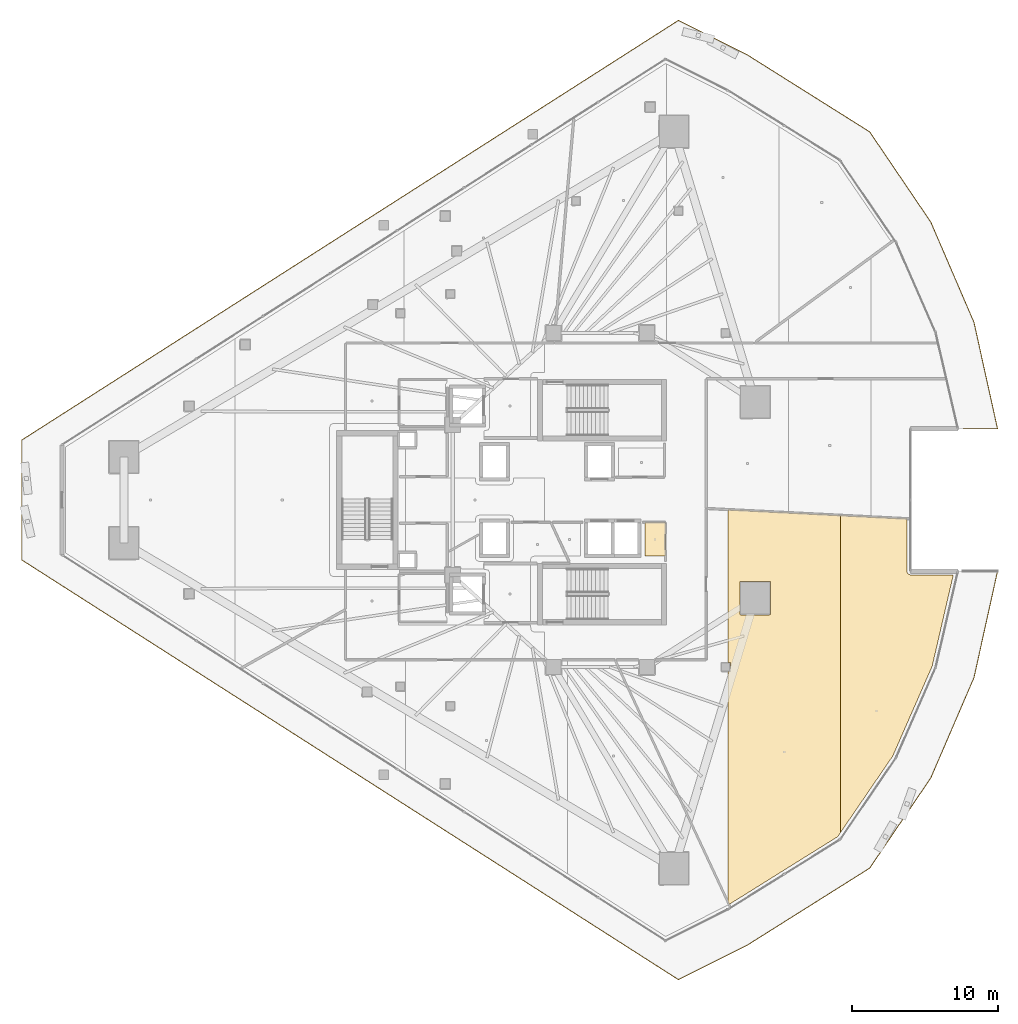
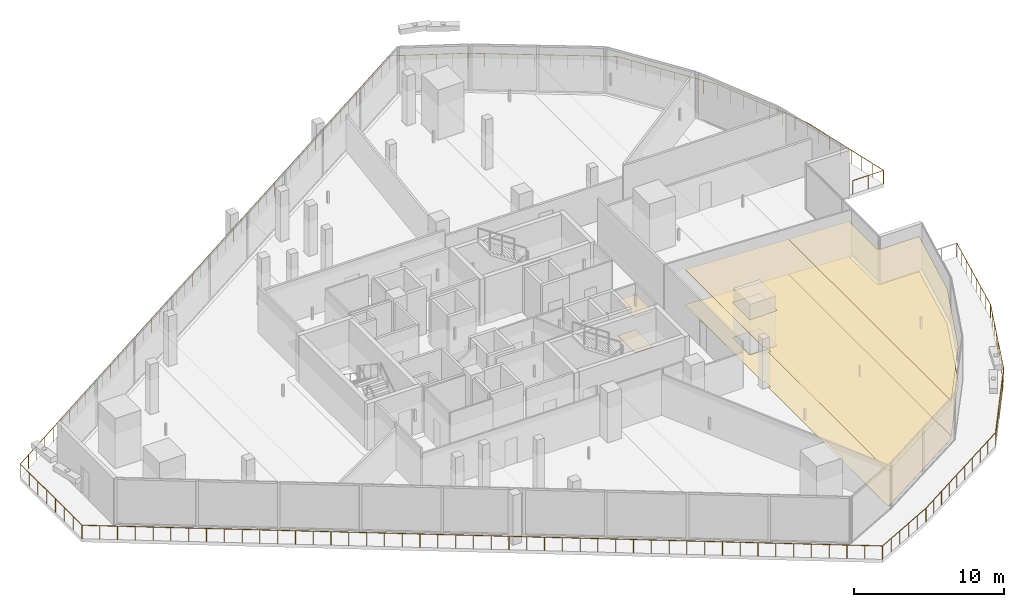
# One storey, part 35 of 38: 6 coverings, 1 railing.
"""IFC4 building model written with IfcOpenShell, lengths in metres."""

from ifc_helpers import new_model, si_unit, direction, frame, origin, origin_2d, place, context, subcontext, project, spatial, polyline, circle, outline, extrude, material, layer, layer_set, type_object, element, save


model = new_model("IFC4")

# Units and contexts
model_context = context("Model", 3, precision=1e-05, world=origin(), true_north=direction((0.0, 1.0)))
body_context = subcontext(model_context, "Body", "Model", "MODEL_VIEW")
ifc_project = project(units=[si_unit("LENGTHUNIT", "METRE"), si_unit("AREAUNIT", "SQUARE_METRE"), si_unit("VOLUMEUNIT", "CUBIC_METRE"), si_unit("PLANEANGLEUNIT", "RADIAN"), si_unit("MASSUNIT", "GRAM", prefix="KILO")], contexts=[model_context])

# Site, building, storey
site_placement = place(None, origin())
site = spatial("IfcSite", under=ifc_project, at=site_placement, CompositionType="ELEMENT")
building_placement = place(site_placement, origin())
building = spatial("IfcBuilding", under=site, at=building_placement, Name="Qorvath Tower", CompositionType="ELEMENT")
storey_placement = place(building_placement, frame((0.0, 0.0, 134.10009765625)))
storey = spatial("IfcBuildingStorey", under=building, at=storey_placement, Name="L30", CompositionType="ELEMENT", Elevation=134.10009765625)

# Coverings
ifc_material_1 = material(Name="Acoustic mineral fibre ceiling tile", Category="gypsum")
ifc_layer_1 = layer(ifc_material_1, 0.030029296875)
ifc_layer_set_1 = layer_set([ifc_layer_1], Name="COV-CEIL")
covering_type_1 = type_object("IfcCoveringType", Name="COV-CEIL", PredefinedType="CEILING", material=ifc_layer_set_1)
covering_1_placement = place(storey_placement, frame((0.0, 0.0, 2.849853515625)))
element("IfcCovering", 1, at=covering_1_placement, inside=storey, type_object=covering_type_1, Name="L30 Suspended Acoustic Ceiling 019", PredefinedType="CEILING", context=body_context, shape_type="SweptSolid", body=[
    extrude(outline(polyline([(-11.6494140625, -0.65966796875), (-11.6494140625, -11.132568359375), (-11.482666015625, -11.132568359375), (-11.482666015625, -11.767333984375), (-11.6494140625, -11.7724609375), (-11.6494140625, -27.522216796875), (-11.5595703125, -27.714599609375), (-4.127685546875, -23.076171875), (-3.92626953125, -22.78125), (-3.92626953125, -1.05322265625), (-11.6494140625, -0.65966796875)]), holes=[polyline([(-10.830322265625, -7.8212890625), (-10.812744140625, -5.578857421875), (-8.727783203125, -5.578857421875), (-8.727783203125, -7.86376953125), (-10.770263671875, -7.88134765625), (-10.830322265625, -7.8212890625)])]), origin(), (0.0, 0.0, 1.0), 0.030029296875),
])
covering_2_placement = place(storey_placement, frame((0.0, 0.0, 2.849853515625)))
element("IfcCovering", 2, at=covering_2_placement, inside=storey, type_object=covering_type_1, Name="L30 Suspended Acoustic Ceiling 020", PredefinedType="CEILING", context=body_context, shape_type="SweptSolid", body=[
    extrude(outline(polyline([(-3.92626953125, -1.05322265625), (-3.92626953125, -22.78125), (-0.35205078125, -17.551025390625), (2.3486328125, -11.395751953125), (3.796875, -5.13671875), (0.86328125, -5.13671875), (0.665283203125, -5.0419921875), (0.6083984375, -4.881591796875), (0.6083984375, -1.2841796875), (-3.92626953125, -1.05322265625)])), origin(), (0.0, 0.0, 1.0), 0.030029296875),
])
covering_3_placement = place(storey_placement, frame((0.0, 0.0, 2.849853515625)))
element("IfcCovering", 3, at=covering_3_placement, inside=storey, type_object=covering_type_1, Name="L30 Suspended Acoustic Ceiling 022", PredefinedType="CEILING", context=body_context, shape_type="SweptSolid", body=[
    extrude(outline(polyline([(-17.340087890625, -1.532958984375), (-17.340087890625, -3.85009765625), (-15.93310546875, -3.85009765625), (-15.93310546875, -1.532958984375), (-17.340087890625, -1.532958984375)])), origin(), (0.0, 0.0, 1.0), 0.030029296875),
])
ifc_material_2 = material(Name="Low-VOC modular carpet tile", Category="textile")
ifc_layer_2 = layer(ifc_material_2, 0.014892578125)
ifc_layer_set_2 = layer_set([ifc_layer_2], Name="COV-FLOOR-CPT")
covering_type_2 = type_object("IfcCoveringType", Name="COV-FLOOR-CPT", PredefinedType="FLOORING", material=ifc_layer_set_2)
covering_4_placement = place(storey_placement, origin())
element("IfcCovering", 4, at=covering_4_placement, inside=storey, type_object=covering_type_2, Name="L30 Floor Finish 019", PredefinedType="FLOORING", context=body_context, shape_type="SweptSolid", body=[
    extrude(outline(polyline([(-11.6494140625, -0.65966796875), (-11.6494140625, -11.132568359375), (-11.482666015625, -11.132568359375), (-11.482666015625, -11.767333984375), (-11.6494140625, -11.7724609375), (-11.6494140625, -27.522216796875), (-11.5595703125, -27.714599609375), (-4.127685546875, -23.076171875), (-3.92626953125, -22.78125), (-3.92626953125, -1.05322265625), (-11.6494140625, -0.65966796875)]), holes=[polyline([(-10.830322265625, -7.8212890625), (-10.812744140625, -5.578857421875), (-8.727783203125, -5.578857421875), (-8.727783203125, -7.86376953125), (-10.770263671875, -7.88134765625), (-10.830322265625, -7.8212890625)])]), origin(), (0.0, 0.0, 1.0), 0.014892578125),
])
covering_5_placement = place(storey_placement, origin())
element("IfcCovering", 5, at=covering_5_placement, inside=storey, type_object=covering_type_2, Name="L30 Floor Finish 020", PredefinedType="FLOORING", context=body_context, shape_type="SweptSolid", body=[
    extrude(outline(polyline([(-3.92626953125, -1.05322265625), (-3.92626953125, -22.78125), (-0.35205078125, -17.551025390625), (2.3486328125, -11.395751953125), (3.796875, -5.13671875), (0.86328125, -5.13671875), (0.665283203125, -5.0419921875), (0.6083984375, -4.881591796875), (0.6083984375, -1.2841796875), (-3.92626953125, -1.05322265625)])), origin(), (0.0, 0.0, 1.0), 0.014892578125),
])
covering_6_placement = place(storey_placement, origin())
element("IfcCovering", 6, at=covering_6_placement, inside=storey, type_object=covering_type_2, Name="L30 Floor Finish 022", PredefinedType="FLOORING", context=body_context, shape_type="SweptSolid", body=[
    extrude(outline(polyline([(-17.340087890625, -1.532958984375), (-17.340087890625, -3.85009765625), (-15.93310546875, -3.85009765625), (-15.93310546875, -1.532958984375), (-17.340087890625, -1.532958984375)])), origin(), (0.0, 0.0, 1.0), 0.014892578125),
])

# Railing
ifc_material_3 = material(Name="Laminated safety glass and stainless steel AISI 316", Category="steel")
railing_type = type_object("IfcRailingType", Name="RL-EXT-GRD", PredefinedType="GUARDRAIL", material=ifc_material_3)
railing_placement = place(storey_placement, frame((6.833984375, -4.881591796875, 0.0)))
element("IfcRailing", 7, at=railing_placement, inside=storey, type_object=railing_type, Name="Loggia Perimeter Guardrail L30-1.1", PredefinedType="GUARDRAIL", context=body_context, shape_type="SweptSolid", body=[
    extrude(circle(Radius=0.02392578125, at=origin_2d()), frame((0.0, 0.0, 1.09619140625), z_axis=(-0.216103917882, -0.976370368598, 0.0), x_axis=(0.976370368598, -0.216103917882, 0.0)), (0.0, 0.0, 1.0), 7.4755859375),
    extrude(circle(Radius=0.02392578125, at=origin_2d()), frame((-1.615478515625, -7.298828125, 1.09619140625), z_axis=(-0.395483606656, -0.91847303546, 0.0), x_axis=(0.91847303546, -0.395483606656, 0.0)), (0.0, 0.0, 1.0), 7.47509765625),
    extrude(circle(Radius=0.02392578125, at=origin_2d()), frame((-4.57177734375, -14.16455078125, 1.09619140625), z_axis=(-0.560835146382, -0.82792749597, 0.0), x_axis=(0.82792749597, -0.560835146382, 0.0)), (0.0, 0.0, 1.0), 7.475341796875),
    extrude(circle(Radius=0.02392578125, at=origin_2d()), frame((-8.76416015625, -20.353515625, 1.09619140625), z_axis=(-0.8464853898, -0.53241195033, 0.0), x_axis=(0.53241195033, -0.8464853898, 0.0)), (0.0, 0.0, 1.0), 9.940673828125),
    extrude(circle(Radius=0.02392578125, at=origin_2d()), frame((-17.1787109375, -25.64599609375, 1.09619140625), z_axis=(-0.894445787706, -0.447176400154, 0.0), x_axis=(0.447176400154, -0.894445787706, 0.0)), (0.0, 0.0, 1.0), 5.2509765625),
    extrude(circle(Radius=0.02392578125, at=origin_2d()), frame((-21.87548828125, -27.994140625, 1.09619140625), z_axis=(-0.842605755812, 0.538530909301, 0.0), x_axis=(-0.538530909301, -0.842605755812, 0.0)), (0.0, 0.0, 1.0), 53.416015625),
    extrude(circle(Radius=0.02392578125, at=origin_2d()), frame((-66.884033203125, 0.77197265625, 1.09619140625), z_axis=(0.0, 1.0, 0.0), x_axis=(-1.0, 0.0, 0.0)), (0.0, 0.0, 1.0), 8.21923828125),
    extrude(circle(Radius=0.02392578125, at=origin_2d()), frame((-66.884033203125, 8.9912109375, 1.09619140625), z_axis=(0.842605755812, 0.538530909301, 0.0), x_axis=(-0.538530909301, 0.842605755812, 0.0)), (0.0, 0.0, 1.0), 53.416015625),
    extrude(circle(Radius=0.02392578125, at=origin_2d()), frame((-21.87548828125, 37.75732421875, 1.09619140625), z_axis=(0.894445787706, -0.447176400154, 0.0), x_axis=(0.447176400154, 0.894445787706, 0.0)), (0.0, 0.0, 1.0), 5.2509765625),
    extrude(circle(Radius=0.02392578125, at=origin_2d()), frame((-17.1787109375, 35.4091796875, 1.09619140625), z_axis=(0.8464853898, -0.53241195033, 0.0), x_axis=(0.53241195033, 0.8464853898, 0.0)), (0.0, 0.0, 1.0), 9.940673828125),
    extrude(circle(Radius=0.02392578125, at=origin_2d()), frame((-8.76416015625, 30.11669921875, 1.09619140625), z_axis=(0.560835146382, -0.82792749597, 0.0), x_axis=(0.82792749597, 0.560835146382, 0.0)), (0.0, 0.0, 1.0), 7.475341796875),
    extrude(circle(Radius=0.02392578125, at=origin_2d()), frame((-4.57177734375, 23.927734375, 1.09619140625), z_axis=(0.395483606656, -0.91847303546, 0.0), x_axis=(0.91847303546, 0.395483606656, 0.0)), (0.0, 0.0, 1.0), 7.47509765625),
    extrude(circle(Radius=0.02392578125, at=origin_2d()), frame((-1.615478515625, 17.06201171875, 1.09619140625), z_axis=(0.216103917882, -0.976370368598, 0.0), x_axis=(0.976370368598, 0.216103917882, 0.0)), (0.0, 0.0, 1.0), 7.4755859375),
    extrude(circle(Radius=0.02392578125, at=origin_2d()), frame((0.0, 9.76318359375, 1.09619140625), z_axis=(-1.0, 0.0, 0.0), x_axis=(0.0, -1.0, 0.0)), (0.0, 0.0, 1.0), 2.36669921875),
    extrude(circle(Radius=0.02099609375, at=origin_2d()), origin(), (0.0, 0.0, 1.0), 1.072021484375),
    extrude(circle(Radius=0.02099609375, at=origin_2d()), frame((-0.230712890625, -1.042724609375, 0.0)), (0.0, 0.0, 1.0), 1.072021484375),
    extrude(circle(Radius=0.02099609375, at=origin_2d()), frame((-0.461669921875, -2.08544921875, 0.0)), (0.0, 0.0, 1.0), 1.072021484375),
    extrude(circle(Radius=0.02099609375, at=origin_2d()), frame((-0.6923828125, -3.128173828125, 0.0)), (0.0, 0.0, 1.0), 1.072021484375),
    extrude(circle(Radius=0.02099609375, at=origin_2d()), frame((-0.923095703125, -4.170654296875, 0.0)), (0.0, 0.0, 1.0), 1.072021484375),
    extrude(circle(Radius=0.02099609375, at=origin_2d()), frame((-1.15380859375, -5.21337890625, 0.0)), (0.0, 0.0, 1.0), 1.072021484375),
    extrude(circle(Radius=0.02099609375, at=origin_2d()), frame((-1.384765625, -6.256103515625, 0.0)), (0.0, 0.0, 1.0), 1.072021484375),
    extrude(circle(Radius=0.02099609375, at=origin_2d()), frame((-1.615478515625, -7.298828125, 0.0)), (0.0, 0.0, 1.0), 1.072021484375),
    extrude(circle(Radius=0.02099609375, at=origin_2d()), frame((-2.037841796875, -8.279541015625, 0.0)), (0.0, 0.0, 1.0), 1.072021484375),
    extrude(circle(Radius=0.02099609375, at=origin_2d()), frame((-2.460205078125, -9.260498046875, 0.0)), (0.0, 0.0, 1.0), 1.072021484375),
    extrude(circle(Radius=0.02099609375, at=origin_2d()), frame((-2.882568359375, -10.2412109375, 0.0)), (0.0, 0.0, 1.0), 1.072021484375),
    extrude(circle(Radius=0.02099609375, at=origin_2d()), frame((-3.3046875, -11.22216796875, 0.0)), (0.0, 0.0, 1.0), 1.072021484375),
    extrude(circle(Radius=0.02099609375, at=origin_2d()), frame((-3.72705078125, -12.202880859375, 0.0)), (0.0, 0.0, 1.0), 1.072021484375),
    extrude(circle(Radius=0.02099609375, at=origin_2d()), frame((-4.1494140625, -13.183837890625, 0.0)), (0.0, 0.0, 1.0), 1.072021484375),
    extrude(circle(Radius=0.02099609375, at=origin_2d()), frame((-4.57177734375, -14.16455078125, 0.0)), (0.0, 0.0, 1.0), 1.072021484375),
    extrude(circle(Radius=0.02099609375, at=origin_2d()), frame((-5.170654296875, -15.048583984375, 0.0)), (0.0, 0.0, 1.0), 1.072021484375),
    extrude(circle(Radius=0.02099609375, at=origin_2d()), frame((-5.76953125, -15.932861328125, 0.0)), (0.0, 0.0, 1.0), 1.072021484375),
    extrude(circle(Radius=0.02099609375, at=origin_2d()), frame((-6.368408203125, -16.81689453125, 0.0)), (0.0, 0.0, 1.0), 1.072021484375),
    extrude(circle(Radius=0.02099609375, at=origin_2d()), frame((-6.967529296875, -17.701171875, 0.0)), (0.0, 0.0, 1.0), 1.072021484375),
    extrude(circle(Radius=0.02099609375, at=origin_2d()), frame((-7.56640625, -18.585205078125, 0.0)), (0.0, 0.0, 1.0), 1.072021484375),
    extrude(circle(Radius=0.02099609375, at=origin_2d()), frame((-8.165283203125, -19.469482421875, 0.0)), (0.0, 0.0, 1.0), 1.072021484375),
    extrude(circle(Radius=0.02099609375, at=origin_2d()), frame((-8.76416015625, -20.353515625, 0.0)), (0.0, 0.0, 1.0), 1.072021484375),
    extrude(circle(Radius=0.02099609375, at=origin_2d()), frame((-9.69921875, -20.941650390625, 0.0)), (0.0, 0.0, 1.0), 1.072021484375),
    extrude(circle(Radius=0.02099609375, at=origin_2d()), frame((-10.634033203125, -21.529541015625, 0.0)), (0.0, 0.0, 1.0), 1.072021484375),
    extrude(circle(Radius=0.02099609375, at=origin_2d()), frame((-11.569091796875, -22.11767578125, 0.0)), (0.0, 0.0, 1.0), 1.072021484375),
    extrude(circle(Radius=0.02099609375, at=origin_2d()), frame((-12.50390625, -22.705810546875, 0.0)), (0.0, 0.0, 1.0), 1.072021484375),
    extrude(circle(Radius=0.02099609375, at=origin_2d()), frame((-13.43896484375, -23.293701171875, 0.0)), (0.0, 0.0, 1.0), 1.072021484375),
    extrude(circle(Radius=0.02099609375, at=origin_2d()), frame((-14.373779296875, -23.8818359375, 0.0)), (0.0, 0.0, 1.0), 1.072021484375),
    extrude(circle(Radius=0.02099609375, at=origin_2d()), frame((-15.308837890625, -24.469970703125, 0.0)), (0.0, 0.0, 1.0), 1.072021484375),
    extrude(circle(Radius=0.02099609375, at=origin_2d()), frame((-16.24365234375, -25.057861328125, 0.0)), (0.0, 0.0, 1.0), 1.072021484375),
    extrude(circle(Radius=0.02099609375, at=origin_2d()), frame((-17.1787109375, -25.64599609375, 0.0)), (0.0, 0.0, 1.0), 1.072021484375),
    extrude(circle(Radius=0.02099609375, at=origin_2d()), frame((-18.1181640625, -26.11572265625, 0.0)), (0.0, 0.0, 1.0), 1.072021484375),
    extrude(circle(Radius=0.02099609375, at=origin_2d()), frame((-19.057373046875, -26.585205078125, 0.0)), (0.0, 0.0, 1.0), 1.072021484375),
    extrude(circle(Radius=0.02099609375, at=origin_2d()), frame((-19.996826171875, -27.054931640625, 0.0)), (0.0, 0.0, 1.0), 1.072021484375),
    extrude(circle(Radius=0.02099609375, at=origin_2d()), frame((-20.93603515625, -27.5244140625, 0.0)), (0.0, 0.0, 1.0), 1.072021484375),
    extrude(circle(Radius=0.02099609375, at=origin_2d()), frame((-21.87548828125, -27.994140625, 0.0)), (0.0, 0.0, 1.0), 1.072021484375),
    extrude(circle(Radius=0.02099609375, at=origin_2d()), frame((-22.875732421875, -27.35498046875, 0.0)), (0.0, 0.0, 1.0), 1.072021484375),
    extrude(circle(Radius=0.02099609375, at=origin_2d()), frame((-23.8759765625, -26.715576171875, 0.0)), (0.0, 0.0, 1.0), 1.072021484375),
    extrude(circle(Radius=0.02099609375, at=origin_2d()), frame((-24.8759765625, -26.076416015625, 0.0)), (0.0, 0.0, 1.0), 1.072021484375),
    extrude(circle(Radius=0.02099609375, at=origin_2d()), frame((-25.876220703125, -25.437255859375, 0.0)), (0.0, 0.0, 1.0), 1.072021484375),
    extrude(circle(Radius=0.02099609375, at=origin_2d()), frame((-26.87646484375, -24.7978515625, 0.0)), (0.0, 0.0, 1.0), 1.072021484375),
    extrude(circle(Radius=0.02099609375, at=origin_2d()), frame((-27.876708984375, -24.15869140625, 0.0)), (0.0, 0.0, 1.0), 1.072021484375),
    extrude(circle(Radius=0.02099609375, at=origin_2d()), frame((-28.876708984375, -23.51953125, 0.0)), (0.0, 0.0, 1.0), 1.072021484375),
    extrude(circle(Radius=0.02099609375, at=origin_2d()), frame((-29.876953125, -22.880126953125, 0.0)), (0.0, 0.0, 1.0), 1.072021484375),
    extrude(circle(Radius=0.02099609375, at=origin_2d()), frame((-30.877197265625, -22.240966796875, 0.0)), (0.0, 0.0, 1.0), 1.072021484375),
    extrude(circle(Radius=0.02099609375, at=origin_2d()), frame((-31.87744140625, -21.6015625, 0.0)), (0.0, 0.0, 1.0), 1.072021484375),
    extrude(circle(Radius=0.02099609375, at=origin_2d()), frame((-32.877685546875, -20.96240234375, 0.0)), (0.0, 0.0, 1.0), 1.072021484375),
    extrude(circle(Radius=0.02099609375, at=origin_2d()), frame((-33.877685546875, -20.3232421875, 0.0)), (0.0, 0.0, 1.0), 1.072021484375),
    extrude(circle(Radius=0.02099609375, at=origin_2d()), frame((-34.8779296875, -19.683837890625, 0.0)), (0.0, 0.0, 1.0), 1.072021484375),
    extrude(circle(Radius=0.02099609375, at=origin_2d()), frame((-35.878173828125, -19.044677734375, 0.0)), (0.0, 0.0, 1.0), 1.072021484375),
    extrude(circle(Radius=0.02099609375, at=origin_2d()), frame((-36.87841796875, -18.405517578125, 0.0)), (0.0, 0.0, 1.0), 1.072021484375),
    extrude(circle(Radius=0.02099609375, at=origin_2d()), frame((-37.87841796875, -17.76611328125, 0.0)), (0.0, 0.0, 1.0), 1.072021484375),
    extrude(circle(Radius=0.02099609375, at=origin_2d()), frame((-38.878662109375, -17.126953125, 0.0)), (0.0, 0.0, 1.0), 1.072021484375),
    extrude(circle(Radius=0.02099609375, at=origin_2d()), frame((-39.87890625, -16.48779296875, 0.0)), (0.0, 0.0, 1.0), 1.072021484375),
    extrude(circle(Radius=0.02099609375, at=origin_2d()), frame((-40.879150390625, -15.848388671875, 0.0)), (0.0, 0.0, 1.0), 1.072021484375),
    extrude(circle(Radius=0.02099609375, at=origin_2d()), frame((-41.87939453125, -15.209228515625, 0.0)), (0.0, 0.0, 1.0), 1.072021484375),
    extrude(circle(Radius=0.02099609375, at=origin_2d()), frame((-42.87939453125, -14.570068359375, 0.0)), (0.0, 0.0, 1.0), 1.072021484375),
    extrude(circle(Radius=0.02099609375, at=origin_2d()), frame((-43.879638671875, -13.9306640625, 0.0)), (0.0, 0.0, 1.0), 1.072021484375),
    extrude(circle(Radius=0.02099609375, at=origin_2d()), frame((-44.8798828125, -13.29150390625, 0.0)), (0.0, 0.0, 1.0), 1.072021484375),
    extrude(circle(Radius=0.02099609375, at=origin_2d()), frame((-45.880126953125, -12.652099609375, 0.0)), (0.0, 0.0, 1.0), 1.072021484375),
    extrude(circle(Radius=0.02099609375, at=origin_2d()), frame((-46.880126953125, -12.012939453125, 0.0)), (0.0, 0.0, 1.0), 1.072021484375),
    extrude(circle(Radius=0.02099609375, at=origin_2d()), frame((-47.88037109375, -11.373779296875, 0.0)), (0.0, 0.0, 1.0), 1.072021484375),
    extrude(circle(Radius=0.02099609375, at=origin_2d()), frame((-48.880615234375, -10.734375, 0.0)), (0.0, 0.0, 1.0), 1.072021484375),
    extrude(circle(Radius=0.02099609375, at=origin_2d()), frame((-49.880859375, -10.09521484375, 0.0)), (0.0, 0.0, 1.0), 1.072021484375),
    extrude(circle(Radius=0.02099609375, at=origin_2d()), frame((-50.881103515625, -9.4560546875, 0.0)), (0.0, 0.0, 1.0), 1.072021484375),
    extrude(circle(Radius=0.02099609375, at=origin_2d()), frame((-51.881103515625, -8.816650390625, 0.0)), (0.0, 0.0, 1.0), 1.072021484375),
    extrude(circle(Radius=0.02099609375, at=origin_2d()), frame((-52.88134765625, -8.177490234375, 0.0)), (0.0, 0.0, 1.0), 1.072021484375),
    extrude(circle(Radius=0.02099609375, at=origin_2d()), frame((-53.881591796875, -7.538330078125, 0.0)), (0.0, 0.0, 1.0), 1.072021484375),
    extrude(circle(Radius=0.02099609375, at=origin_2d()), frame((-54.8818359375, -6.89892578125, 0.0)), (0.0, 0.0, 1.0), 1.072021484375),
    extrude(circle(Radius=0.02099609375, at=origin_2d()), frame((-55.8818359375, -6.259765625, 0.0)), (0.0, 0.0, 1.0), 1.072021484375),
    extrude(circle(Radius=0.02099609375, at=origin_2d()), frame((-56.882080078125, -5.62060546875, 0.0)), (0.0, 0.0, 1.0), 1.072021484375),
    extrude(circle(Radius=0.02099609375, at=origin_2d()), frame((-57.88232421875, -4.981201171875, 0.0)), (0.0, 0.0, 1.0), 1.072021484375),
    extrude(circle(Radius=0.02099609375, at=origin_2d()), frame((-58.882568359375, -4.342041015625, 0.0)), (0.0, 0.0, 1.0), 1.072021484375),
    extrude(circle(Radius=0.02099609375, at=origin_2d()), frame((-59.8828125, -3.70263671875, 0.0)), (0.0, 0.0, 1.0), 1.072021484375),
    extrude(circle(Radius=0.02099609375, at=origin_2d()), frame((-60.8828125, -3.0634765625, 0.0)), (0.0, 0.0, 1.0), 1.072021484375),
    extrude(circle(Radius=0.02099609375, at=origin_2d()), frame((-61.883056640625, -2.42431640625, 0.0)), (0.0, 0.0, 1.0), 1.072021484375),
    extrude(circle(Radius=0.02099609375, at=origin_2d()), frame((-62.88330078125, -1.784912109375, 0.0)), (0.0, 0.0, 1.0), 1.072021484375),
    extrude(circle(Radius=0.02099609375, at=origin_2d()), frame((-63.883544921875, -1.145751953125, 0.0)), (0.0, 0.0, 1.0), 1.072021484375),
    extrude(circle(Radius=0.02099609375, at=origin_2d()), frame((-64.883544921875, -0.506591796875, 0.0)), (0.0, 0.0, 1.0), 1.072021484375),
    extrude(circle(Radius=0.02099609375, at=origin_2d()), frame((-65.8837890625, 0.1328125, 0.0)), (0.0, 0.0, 1.0), 1.072021484375),
    extrude(circle(Radius=0.02099609375, at=origin_2d()), frame((-66.884033203125, 0.77197265625, 0.0)), (0.0, 0.0, 1.0), 1.072021484375),
    extrude(circle(Radius=0.02099609375, at=origin_2d()), frame((-66.884033203125, 1.946044921875, 0.0)), (0.0, 0.0, 1.0), 1.072021484375),
    extrude(circle(Radius=0.02099609375, at=origin_2d()), frame((-66.884033203125, 3.120361328125, 0.0)), (0.0, 0.0, 1.0), 1.072021484375),
    extrude(circle(Radius=0.02099609375, at=origin_2d()), frame((-66.884033203125, 4.29443359375, 0.0)), (0.0, 0.0, 1.0), 1.072021484375),
    extrude(circle(Radius=0.02099609375, at=origin_2d()), frame((-66.884033203125, 5.46875, 0.0)), (0.0, 0.0, 1.0), 1.072021484375),
    extrude(circle(Radius=0.02099609375, at=origin_2d()), frame((-66.884033203125, 6.642822265625, 0.0)), (0.0, 0.0, 1.0), 1.072021484375),
    extrude(circle(Radius=0.02099609375, at=origin_2d()), frame((-66.884033203125, 7.817138671875, 0.0)), (0.0, 0.0, 1.0), 1.072021484375),
    extrude(circle(Radius=0.02099609375, at=origin_2d()), frame((-66.884033203125, 8.9912109375, 0.0)), (0.0, 0.0, 1.0), 1.072021484375),
    extrude(circle(Radius=0.02099609375, at=origin_2d()), frame((-65.8837890625, 9.63037109375, 0.0)), (0.0, 0.0, 1.0), 1.072021484375),
    extrude(circle(Radius=0.02099609375, at=origin_2d()), frame((-64.883544921875, 10.269775390625, 0.0)), (0.0, 0.0, 1.0), 1.072021484375),
    extrude(circle(Radius=0.02099609375, at=origin_2d()), frame((-63.883544921875, 10.908935546875, 0.0)), (0.0, 0.0, 1.0), 1.072021484375),
    extrude(circle(Radius=0.02099609375, at=origin_2d()), frame((-62.88330078125, 11.548095703125, 0.0)), (0.0, 0.0, 1.0), 1.072021484375),
    extrude(circle(Radius=0.02099609375, at=origin_2d()), frame((-61.883056640625, 12.1875, 0.0)), (0.0, 0.0, 1.0), 1.072021484375),
    extrude(circle(Radius=0.02099609375, at=origin_2d()), frame((-60.8828125, 12.82666015625, 0.0)), (0.0, 0.0, 1.0), 1.072021484375),
    extrude(circle(Radius=0.02099609375, at=origin_2d()), frame((-59.8828125, 13.4658203125, 0.0)), (0.0, 0.0, 1.0), 1.072021484375),
    extrude(circle(Radius=0.02099609375, at=origin_2d()), frame((-58.882568359375, 14.105224609375, 0.0)), (0.0, 0.0, 1.0), 1.072021484375),
    extrude(circle(Radius=0.02099609375, at=origin_2d()), frame((-57.88232421875, 14.744384765625, 0.0)), (0.0, 0.0, 1.0), 1.072021484375),
    extrude(circle(Radius=0.02099609375, at=origin_2d()), frame((-56.882080078125, 15.3837890625, 0.0)), (0.0, 0.0, 1.0), 1.072021484375),
    extrude(circle(Radius=0.02099609375, at=origin_2d()), frame((-55.8818359375, 16.02294921875, 0.0)), (0.0, 0.0, 1.0), 1.072021484375),
    extrude(circle(Radius=0.02099609375, at=origin_2d()), frame((-54.8818359375, 16.662109375, 0.0)), (0.0, 0.0, 1.0), 1.072021484375),
    extrude(circle(Radius=0.02099609375, at=origin_2d()), frame((-53.881591796875, 17.301513671875, 0.0)), (0.0, 0.0, 1.0), 1.072021484375),
    extrude(circle(Radius=0.02099609375, at=origin_2d()), frame((-52.88134765625, 17.940673828125, 0.0)), (0.0, 0.0, 1.0), 1.072021484375),
    extrude(circle(Radius=0.02099609375, at=origin_2d()), frame((-51.881103515625, 18.579833984375, 0.0)), (0.0, 0.0, 1.0), 1.072021484375),
    extrude(circle(Radius=0.02099609375, at=origin_2d()), frame((-50.881103515625, 19.21923828125, 0.0)), (0.0, 0.0, 1.0), 1.072021484375),
    extrude(circle(Radius=0.02099609375, at=origin_2d()), frame((-49.880859375, 19.8583984375, 0.0)), (0.0, 0.0, 1.0), 1.072021484375),
    extrude(circle(Radius=0.02099609375, at=origin_2d()), frame((-48.880615234375, 20.49755859375, 0.0)), (0.0, 0.0, 1.0), 1.072021484375),
    extrude(circle(Radius=0.02099609375, at=origin_2d()), frame((-47.88037109375, 21.136962890625, 0.0)), (0.0, 0.0, 1.0), 1.072021484375),
    extrude(circle(Radius=0.02099609375, at=origin_2d()), frame((-46.880126953125, 21.776123046875, 0.0)), (0.0, 0.0, 1.0), 1.072021484375),
    extrude(circle(Radius=0.02099609375, at=origin_2d()), frame((-45.880126953125, 22.415283203125, 0.0)), (0.0, 0.0, 1.0), 1.072021484375),
    extrude(circle(Radius=0.02099609375, at=origin_2d()), frame((-44.8798828125, 23.0546875, 0.0)), (0.0, 0.0, 1.0), 1.072021484375),
    extrude(circle(Radius=0.02099609375, at=origin_2d()), frame((-43.879638671875, 23.69384765625, 0.0)), (0.0, 0.0, 1.0), 1.072021484375),
    extrude(circle(Radius=0.02099609375, at=origin_2d()), frame((-42.87939453125, 24.333251953125, 0.0)), (0.0, 0.0, 1.0), 1.072021484375),
    extrude(circle(Radius=0.02099609375, at=origin_2d()), frame((-41.87939453125, 24.972412109375, 0.0)), (0.0, 0.0, 1.0), 1.072021484375),
    extrude(circle(Radius=0.02099609375, at=origin_2d()), frame((-40.879150390625, 25.611572265625, 0.0)), (0.0, 0.0, 1.0), 1.072021484375),
    extrude(circle(Radius=0.02099609375, at=origin_2d()), frame((-39.87890625, 26.2509765625, 0.0)), (0.0, 0.0, 1.0), 1.072021484375),
    extrude(circle(Radius=0.02099609375, at=origin_2d()), frame((-38.878662109375, 26.89013671875, 0.0)), (0.0, 0.0, 1.0), 1.072021484375),
    extrude(circle(Radius=0.02099609375, at=origin_2d()), frame((-37.87841796875, 27.529296875, 0.0)), (0.0, 0.0, 1.0), 1.072021484375),
    extrude(circle(Radius=0.02099609375, at=origin_2d()), frame((-36.87841796875, 28.168701171875, 0.0)), (0.0, 0.0, 1.0), 1.072021484375),
    extrude(circle(Radius=0.02099609375, at=origin_2d()), frame((-35.878173828125, 28.807861328125, 0.0)), (0.0, 0.0, 1.0), 1.072021484375),
    extrude(circle(Radius=0.02099609375, at=origin_2d()), frame((-34.8779296875, 29.447021484375, 0.0)), (0.0, 0.0, 1.0), 1.072021484375),
    extrude(circle(Radius=0.02099609375, at=origin_2d()), frame((-33.877685546875, 30.08642578125, 0.0)), (0.0, 0.0, 1.0), 1.072021484375),
    extrude(circle(Radius=0.02099609375, at=origin_2d()), frame((-32.877685546875, 30.7255859375, 0.0)), (0.0, 0.0, 1.0), 1.072021484375),
    extrude(circle(Radius=0.02099609375, at=origin_2d()), frame((-31.87744140625, 31.36474609375, 0.0)), (0.0, 0.0, 1.0), 1.072021484375),
    extrude(circle(Radius=0.02099609375, at=origin_2d()), frame((-30.877197265625, 32.004150390625, 0.0)), (0.0, 0.0, 1.0), 1.072021484375),
    extrude(circle(Radius=0.02099609375, at=origin_2d()), frame((-29.876953125, 32.643310546875, 0.0)), (0.0, 0.0, 1.0), 1.072021484375),
    extrude(circle(Radius=0.02099609375, at=origin_2d()), frame((-28.876708984375, 33.28271484375, 0.0)), (0.0, 0.0, 1.0), 1.072021484375),
    extrude(circle(Radius=0.02099609375, at=origin_2d()), frame((-27.876708984375, 33.921875, 0.0)), (0.0, 0.0, 1.0), 1.072021484375),
    extrude(circle(Radius=0.02099609375, at=origin_2d()), frame((-26.87646484375, 34.56103515625, 0.0)), (0.0, 0.0, 1.0), 1.072021484375),
    extrude(circle(Radius=0.02099609375, at=origin_2d()), frame((-25.876220703125, 35.200439453125, 0.0)), (0.0, 0.0, 1.0), 1.072021484375),
    extrude(circle(Radius=0.02099609375, at=origin_2d()), frame((-24.8759765625, 35.839599609375, 0.0)), (0.0, 0.0, 1.0), 1.072021484375),
    extrude(circle(Radius=0.02099609375, at=origin_2d()), frame((-23.8759765625, 36.478759765625, 0.0)), (0.0, 0.0, 1.0), 1.072021484375),
    extrude(circle(Radius=0.02099609375, at=origin_2d()), frame((-22.875732421875, 37.1181640625, 0.0)), (0.0, 0.0, 1.0), 1.072021484375),
    extrude(circle(Radius=0.02099609375, at=origin_2d()), frame((-21.87548828125, 37.75732421875, 0.0)), (0.0, 0.0, 1.0), 1.072021484375),
    extrude(circle(Radius=0.02099609375, at=origin_2d()), frame((-20.93603515625, 37.28759765625, 0.0)), (0.0, 0.0, 1.0), 1.072021484375),
    extrude(circle(Radius=0.02099609375, at=origin_2d()), frame((-19.996826171875, 36.818115234375, 0.0)), (0.0, 0.0, 1.0), 1.072021484375),
    extrude(circle(Radius=0.02099609375, at=origin_2d()), frame((-19.057373046875, 36.348388671875, 0.0)), (0.0, 0.0, 1.0), 1.072021484375),
    extrude(circle(Radius=0.02099609375, at=origin_2d()), frame((-18.1181640625, 35.87890625, 0.0)), (0.0, 0.0, 1.0), 1.072021484375),
    extrude(circle(Radius=0.02099609375, at=origin_2d()), frame((-17.1787109375, 35.4091796875, 0.0)), (0.0, 0.0, 1.0), 1.072021484375),
    extrude(circle(Radius=0.02099609375, at=origin_2d()), frame((-16.24365234375, 34.821044921875, 0.0)), (0.0, 0.0, 1.0), 1.072021484375),
    extrude(circle(Radius=0.02099609375, at=origin_2d()), frame((-15.308837890625, 34.233154296875, 0.0)), (0.0, 0.0, 1.0), 1.072021484375),
    extrude(circle(Radius=0.02099609375, at=origin_2d()), frame((-14.373779296875, 33.64501953125, 0.0)), (0.0, 0.0, 1.0), 1.072021484375),
    extrude(circle(Radius=0.02099609375, at=origin_2d()), frame((-13.43896484375, 33.056884765625, 0.0)), (0.0, 0.0, 1.0), 1.072021484375),
    extrude(circle(Radius=0.02099609375, at=origin_2d()), frame((-12.50390625, 32.468994140625, 0.0)), (0.0, 0.0, 1.0), 1.072021484375),
    extrude(circle(Radius=0.02099609375, at=origin_2d()), frame((-11.569091796875, 31.880859375, 0.0)), (0.0, 0.0, 1.0), 1.072021484375),
    extrude(circle(Radius=0.02099609375, at=origin_2d()), frame((-10.634033203125, 31.292724609375, 0.0)), (0.0, 0.0, 1.0), 1.072021484375),
    extrude(circle(Radius=0.02099609375, at=origin_2d()), frame((-9.69921875, 30.704833984375, 0.0)), (0.0, 0.0, 1.0), 1.072021484375),
    extrude(circle(Radius=0.02099609375, at=origin_2d()), frame((-8.76416015625, 30.11669921875, 0.0)), (0.0, 0.0, 1.0), 1.072021484375),
    extrude(circle(Radius=0.02099609375, at=origin_2d()), frame((-8.165283203125, 29.232666015625, 0.0)), (0.0, 0.0, 1.0), 1.072021484375),
    extrude(circle(Radius=0.02099609375, at=origin_2d()), frame((-7.56640625, 28.348388671875, 0.0)), (0.0, 0.0, 1.0), 1.072021484375),
    extrude(circle(Radius=0.02099609375, at=origin_2d()), frame((-6.967529296875, 27.46435546875, 0.0)), (0.0, 0.0, 1.0), 1.072021484375),
    extrude(circle(Radius=0.02099609375, at=origin_2d()), frame((-6.368408203125, 26.580078125, 0.0)), (0.0, 0.0, 1.0), 1.072021484375),
    extrude(circle(Radius=0.02099609375, at=origin_2d()), frame((-5.76953125, 25.696044921875, 0.0)), (0.0, 0.0, 1.0), 1.072021484375),
    extrude(circle(Radius=0.02099609375, at=origin_2d()), frame((-5.170654296875, 24.811767578125, 0.0)), (0.0, 0.0, 1.0), 1.072021484375),
    extrude(circle(Radius=0.02099609375, at=origin_2d()), frame((-4.57177734375, 23.927734375, 0.0)), (0.0, 0.0, 1.0), 1.072021484375),
    extrude(circle(Radius=0.02099609375, at=origin_2d()), frame((-4.1494140625, 22.947021484375, 0.0)), (0.0, 0.0, 1.0), 1.072021484375),
    extrude(circle(Radius=0.02099609375, at=origin_2d()), frame((-3.72705078125, 21.966064453125, 0.0)), (0.0, 0.0, 1.0), 1.072021484375),
    extrude(circle(Radius=0.02099609375, at=origin_2d()), frame((-3.3046875, 20.9853515625, 0.0)), (0.0, 0.0, 1.0), 1.072021484375),
    extrude(circle(Radius=0.02099609375, at=origin_2d()), frame((-2.882568359375, 20.00439453125, 0.0)), (0.0, 0.0, 1.0), 1.072021484375),
    extrude(circle(Radius=0.02099609375, at=origin_2d()), frame((-2.460205078125, 19.023681640625, 0.0)), (0.0, 0.0, 1.0), 1.072021484375),
    extrude(circle(Radius=0.02099609375, at=origin_2d()), frame((-2.037841796875, 18.042724609375, 0.0)), (0.0, 0.0, 1.0), 1.072021484375),
    extrude(circle(Radius=0.02099609375, at=origin_2d()), frame((-1.615478515625, 17.06201171875, 0.0)), (0.0, 0.0, 1.0), 1.072021484375),
    extrude(circle(Radius=0.02099609375, at=origin_2d()), frame((-1.384765625, 16.019287109375, 0.0)), (0.0, 0.0, 1.0), 1.072021484375),
    extrude(circle(Radius=0.02099609375, at=origin_2d()), frame((-1.15380859375, 14.9765625, 0.0)), (0.0, 0.0, 1.0), 1.072021484375),
    extrude(circle(Radius=0.02099609375, at=origin_2d()), frame((-0.923095703125, 13.933837890625, 0.0)), (0.0, 0.0, 1.0), 1.072021484375),
    extrude(circle(Radius=0.02099609375, at=origin_2d()), frame((-0.6923828125, 12.891357421875, 0.0)), (0.0, 0.0, 1.0), 1.072021484375),
    extrude(circle(Radius=0.02099609375, at=origin_2d()), frame((-0.461669921875, 11.8486328125, 0.0)), (0.0, 0.0, 1.0), 1.072021484375),
    extrude(circle(Radius=0.02099609375, at=origin_2d()), frame((-0.230712890625, 10.805908203125, 0.0)), (0.0, 0.0, 1.0), 1.072021484375),
    extrude(circle(Radius=0.02099609375, at=origin_2d()), frame((0.0, 9.76318359375, 0.0)), (0.0, 0.0, 1.0), 1.072021484375),
    extrude(circle(Radius=0.02099609375, at=origin_2d()), frame((-1.183349609375, 9.76318359375, 0.0)), (0.0, 0.0, 1.0), 1.072021484375),
    extrude(circle(Radius=0.02099609375, at=origin_2d()), frame((-2.36669921875, 9.76318359375, 0.0)), (0.0, 0.0, 1.0), 1.072021484375),
])

save(model, "model.ifc")
